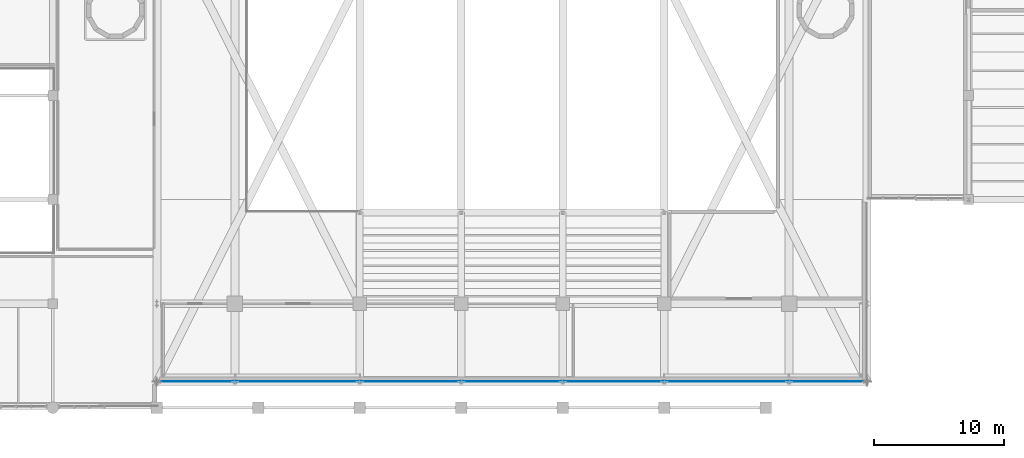
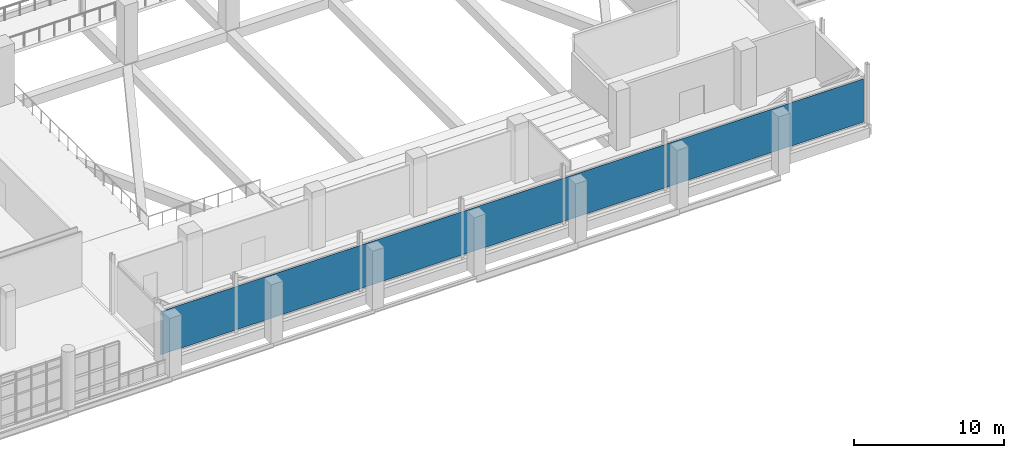
# One storey, part 67 of 100: 1 plate.
"""IFC4 building model written with IfcOpenShell, lengths in metres."""

from ifc_helpers import new_model, si_unit, derived_unit, direction, frame, origin, origin_2d, place, context, subcontext, project, spatial, rectangle, extrude, material, layer, layer_set, type_object, element, save


model = new_model("IFC4")

# Units and contexts
model_context = context("Model", 3, precision=1e-05, world=origin(), true_north=direction((0.0, 1.0)))
body_context = subcontext(model_context, "Body", "Model", "MODEL_VIEW")
ifc_project = project(units=[si_unit("LENGTHUNIT", "METRE"), si_unit("AREAUNIT", "SQUARE_METRE"), si_unit("VOLUMEUNIT", "CUBIC_METRE"), si_unit("PLANEANGLEUNIT", "RADIAN"), si_unit("MASSUNIT", "GRAM", prefix="KILO"), derived_unit("THERMALTRANSMITTANCEUNIT", [(si_unit("POWERUNIT", "WATT"), 1), (si_unit("LENGTHUNIT", "METRE"), -2), (si_unit("THERMODYNAMICTEMPERATUREUNIT", "KELVIN"), -1)])], contexts=[model_context])

# Site, building, storey
site_placement = place(None, origin())
site = spatial("IfcSite", under=ifc_project, at=site_placement, CompositionType="ELEMENT")
building_placement = place(site_placement, origin())
building = spatial("IfcBuilding", under=site, at=building_placement, Name="Nallur Shell Playhouse", CompositionType="ELEMENT")
storey_placement = place(building_placement, frame((0.0, 0.0, 10.199951171875)))
storey = spatial("IfcBuildingStorey", under=building, at=storey_placement, Name="L03", CompositionType="ELEMENT", Elevation=10.199951171875)

# Plate
ifc_material = material(Name="Gold-Anodised Perforated Aluminium Acoustic Cladding", Category="aluminium")
ifc_layer = layer(ifc_material, 0.008056640625)
ifc_layer_set = layer_set([ifc_layer], Name="Gold-Anodised Perforated Aluminium Acoustic Cladding")
plate_type = type_object("IfcPlateType", Name="PT-GOLD-02", PredefinedType="SHEET", material=ifc_layer_set)
plate_placement = place(storey_placement, frame((91.300048828125, 10.02197265625, 0.10009765625), z_axis=(0.0, 0.0, 1.0), x_axis=(-1.0, 0.0, 0.0)))
element("IfcPlate", 1, at=plate_placement, inside=storey, type_object=plate_type, Name="Gold-anodised perforated aluminium cladding GC-008", PredefinedType="SHEET", context=body_context, shape_type="SweptSolid", body=[
    extrude(rectangle(XDim=54.030029296875, YDim=0.01611328125, at=origin_2d()), origin(), (0.0, 0.0, 1.0), 3.52490234375),
])

save(model, "model.ifc")
